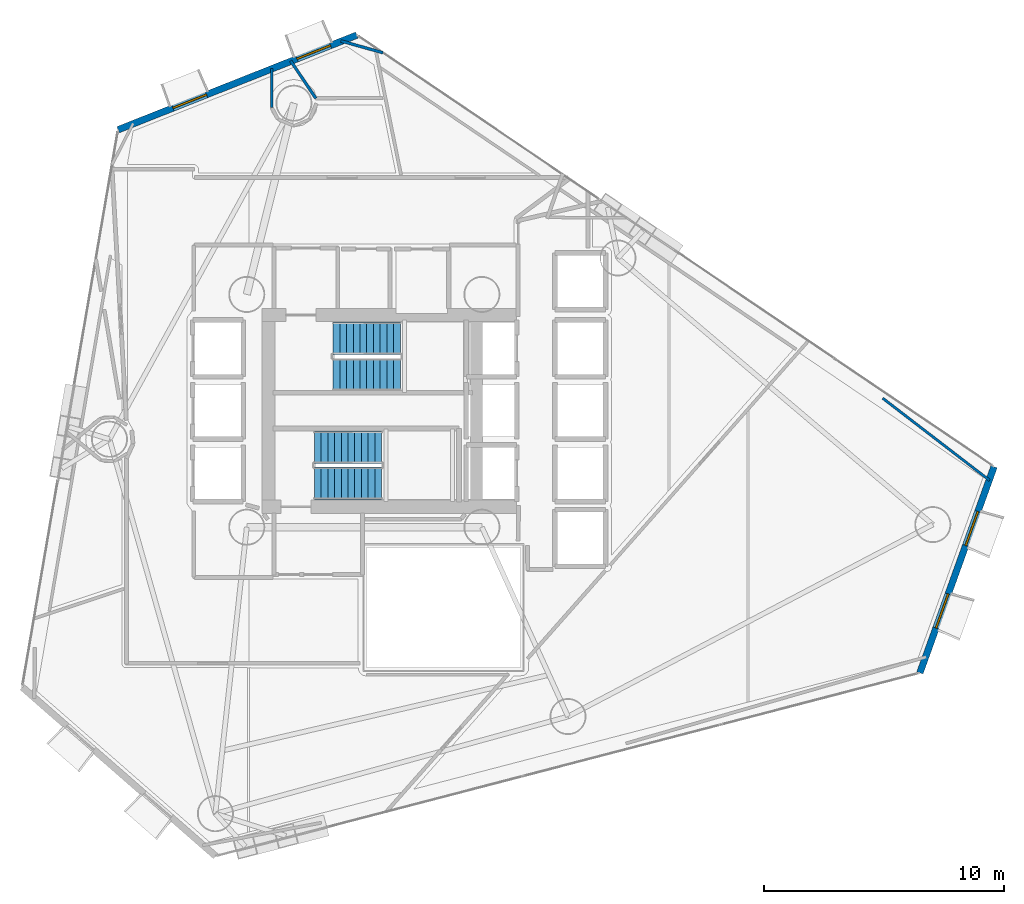
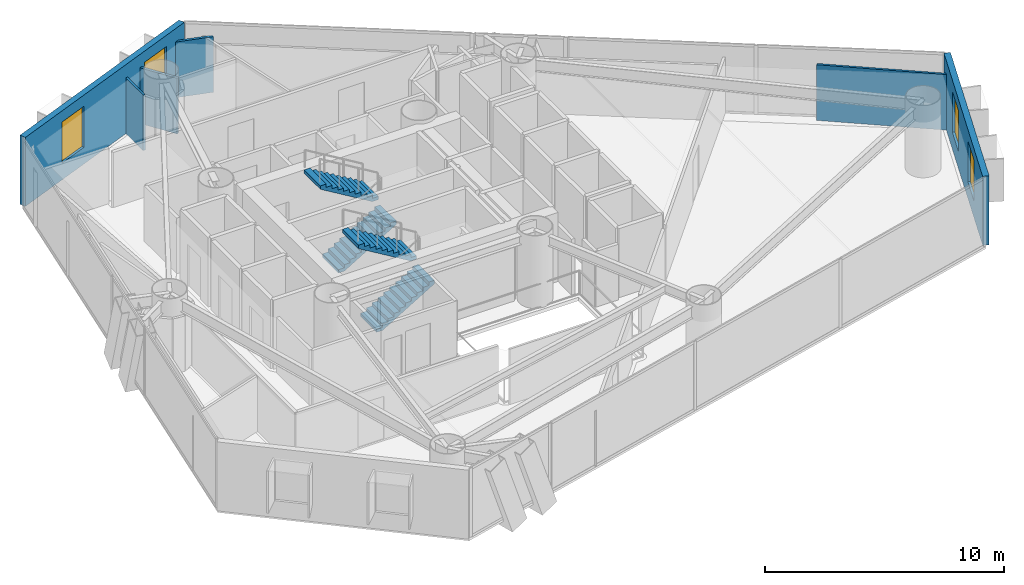
# One storey, part 18 of 21: 6 walls, 4 stair flights, 4 windows, 4 openings, 2 elements without a shape of their own.
"""IFC4 building model written with IfcOpenShell, lengths in metres."""

from ifc_helpers import new_model, si_unit, direction, frame, frame_2d, origin, place, context, subcontext, project, spatial, polyline, rectangle, outline, extrude, material, layer, layer_set, type_object, element, fill, aggregate, save


model = new_model("IFC4")

# Units and contexts
model_context = context("Model", 3, precision=1e-05, world=origin(), true_north=direction((0.0, 1.0)))
body_context = subcontext(model_context, "Body", "Model", "MODEL_VIEW")
ifc_project = project(units=[si_unit("LENGTHUNIT", "METRE"), si_unit("AREAUNIT", "SQUARE_METRE"), si_unit("VOLUMEUNIT", "CUBIC_METRE"), si_unit("PLANEANGLEUNIT", "RADIAN"), si_unit("MASSUNIT", "GRAM", prefix="KILO")], contexts=[model_context])

# Site, building, storey
site_placement = place(None, origin())
site = spatial("IfcSite", under=ifc_project, at=site_placement, CompositionType="ELEMENT")
building_placement = place(site_placement, origin())
building = spatial("IfcBuilding", under=site, at=building_placement, Name="Qianvela Tower", CompositionType="ELEMENT")
storey_placement = place(building_placement, frame((0.0, 0.0, 108.89990234375)))
storey = spatial("IfcBuildingStorey", under=building, at=storey_placement, Name="L27", CompositionType="ELEMENT", Elevation=108.89990234375)

# Wall, openings, windows
ifc_material_1 = material(Name="Terracotta Cladding on Concrete C40", Category="masonry")
ifc_layer_1 = layer(ifc_material_1, 0.280029296875)
ifc_layer_set_1 = layer_set([ifc_layer_1], Name="Terracotta Cladding on Concrete C40")
wall_type_1 = type_object("IfcWallType", Name="TERRACOTTA-WALL-280", PredefinedType="SOLIDWALL", material=ifc_layer_set_1)
wall_1_placement = place(storey_placement, frame((56.656494140625, 17.77783203125, 0.0), z_axis=(0.0, 0.0, 1.0), x_axis=(0.338454364394, 0.940982807081, 0.0)))
wall_1 = element("IfcWall", 1, at=wall_1_placement, inside=storey, type_object=wall_type_1, Name="L27 Terracotta Chamfer Facet Wall 1", PredefinedType="SOLIDWALL", context=body_context, shape_type="SweptSolid", body=[
    extrude(rectangle(XDim=9.13134765625, YDim=0.280029296875, at=frame_2d((4.565673828125, 0.0))), origin(), (0.0, 0.0, 1.0), 3.52001953125),
])
opening_1_placement = place(wall_1_placement, frame((1.989501953125, 0.0, 0.85009765625)))
opening_1 = element("IfcOpeningElement", 2, at=opening_1_placement, cuts=wall_1, Name="Opening W-02", PredefinedType="OPENING", context=body_context, shape_type="SweptSolid", body=[
    extrude(rectangle(XDim=1.5, YDim=2.10009765625, at=frame_2d((0.75, 1.050048828125))), frame((0.0, 0.14990234375, 0.0), z_axis=(0.0, -1.0, 0.0), x_axis=(1.0, 0.0, 0.0)), (0.0, 0.0, 1.0), 0.300048828125),
])
opening_2_placement = place(wall_1_placement, frame((5.64208984375, 0.0, 0.85009765625)))
opening_2 = element("IfcOpeningElement", 3, at=opening_2_placement, cuts=wall_1, Name="Opening W-02", PredefinedType="OPENING", context=body_context, shape_type="SweptSolid", body=[
    extrude(rectangle(XDim=1.5, YDim=2.10009765625, at=frame_2d((0.75, 1.050048828125))), frame((0.0, 0.14990234375, 0.0), z_axis=(0.0, -1.0, 0.0), x_axis=(1.0, 0.0, 0.0)), (0.0, 0.0, 1.0), 0.300048828125),
])
ifc_material_2 = material(Name="Thermally Broken Aluminium and Low-E Glass", Category="aluminium")
window_type = type_object("IfcWindowType", Name="WIN-TC-1500x2100", PartitioningType="DOUBLE_PANEL_VERTICAL", PredefinedType="WINDOW", material=ifc_material_2)
window_1_placement = place(opening_1_placement, origin())
window_1 = element("IfcWindow", 4, at=window_1_placement, inside=storey, type_object=window_type, Name="L27 Chamfer Facet Window 1.1", OverallHeight=2.10009765625, OverallWidth=1.5, PartitioningType="SINGLE_PANEL", PredefinedType="WINDOW", context=body_context, shape_type="SweptSolid", body=[
    extrude(rectangle(XDim=1.5, YDim=2.10009765625, at=frame_2d((0.75, 1.050048828125))), frame((0.0, 0.030029296875, 0.0), z_axis=(0.0, -1.0, 0.0), x_axis=(1.0, 0.0, 0.0)), (0.0, 0.0, 1.0), 0.06005859375),
])
fill(opening_1, window_1)
window_2_placement = place(opening_2_placement, origin())
window_2 = element("IfcWindow", 5, at=window_2_placement, inside=storey, type_object=window_type, Name="L27 Chamfer Facet Window 1.2", OverallHeight=2.10009765625, OverallWidth=1.5, PartitioningType="SINGLE_PANEL", PredefinedType="WINDOW", context=body_context, shape_type="SweptSolid", body=[
    extrude(rectangle(XDim=1.5, YDim=2.10009765625, at=frame_2d((0.75, 1.050048828125))), frame((0.0, 0.030029296875, 0.0), z_axis=(0.0, -1.0, 0.0), x_axis=(1.0, 0.0, 0.0)), (0.0, 0.0, 1.0), 0.06005859375),
])
fill(opening_2, window_2)

wall_2_placement = place(storey_placement, frame((33.188232421875, 44.36083984375, 0.0), z_axis=(0.0, 0.0, 1.0), x_axis=(-0.929607947385, -0.368549947983, 0.0)))
wall_2 = element("IfcWall", 6, at=wall_2_placement, inside=storey, type_object=wall_type_1, Name="L27 Terracotta Chamfer Facet Wall 3", PredefinedType="SOLIDWALL", context=body_context, shape_type="SweptSolid", body=[
    extrude(rectangle(XDim=10.705078125, YDim=0.280029296875, at=frame_2d((5.3525390625, 0.0))), origin(), (0.0, 0.0, 1.0), 3.52001953125),
])
opening_3_placement = place(wall_2_placement, frame((1.181396484375, 0.0, 0.85009765625)))
opening_3 = element("IfcOpeningElement", 7, at=opening_3_placement, cuts=wall_2, Name="Opening W-02", PredefinedType="OPENING", context=body_context, shape_type="SweptSolid", body=[
    extrude(rectangle(XDim=1.5, YDim=2.10009765625, at=frame_2d((0.75, 1.050048828125))), frame((0.0, 0.14990234375, 0.0), z_axis=(0.0, -1.0, 0.0), x_axis=(1.0, 0.0, 0.0)), (0.0, 0.0, 1.0), 0.300048828125),
])
opening_4_placement = place(wall_2_placement, frame((6.743408203125, 0.0, 0.85009765625)))
opening_4 = element("IfcOpeningElement", 8, at=opening_4_placement, cuts=wall_2, Name="Opening W-02", PredefinedType="OPENING", context=body_context, shape_type="SweptSolid", body=[
    extrude(rectangle(XDim=1.5, YDim=2.10009765625, at=frame_2d((0.75, 1.050048828125))), frame((0.0, 0.14990234375, 0.0), z_axis=(0.0, -1.0, 0.0), x_axis=(1.0, 0.0, 0.0)), (0.0, 0.0, 1.0), 0.300048828125),
])
window_3_placement = place(opening_3_placement, origin())
window_3 = element("IfcWindow", 9, at=window_3_placement, inside=storey, type_object=window_type, Name="L27 Chamfer Facet Window 3.1", OverallHeight=2.10009765625, OverallWidth=1.5, PartitioningType="SINGLE_PANEL", PredefinedType="WINDOW", context=body_context, shape_type="SweptSolid", body=[
    extrude(rectangle(XDim=1.5, YDim=2.10009765625, at=frame_2d((0.75, 1.050048828125))), frame((0.0, 0.030029296875, 0.0), z_axis=(0.0, -1.0, 0.0), x_axis=(1.0, 0.0, 0.0)), (0.0, 0.0, 1.0), 0.06005859375),
])
fill(opening_3, window_3)
window_4_placement = place(opening_4_placement, origin())
window_4 = element("IfcWindow", 10, at=window_4_placement, inside=storey, type_object=window_type, Name="L27 Chamfer Facet Window 3.2", OverallHeight=2.10009765625, OverallWidth=1.5, PartitioningType="SINGLE_PANEL", PredefinedType="WINDOW", context=body_context, shape_type="SweptSolid", body=[
    extrude(rectangle(XDim=1.5, YDim=2.10009765625, at=frame_2d((0.75, 1.050048828125))), frame((0.0, 0.030029296875, 0.0), z_axis=(0.0, -1.0, 0.0), x_axis=(1.0, 0.0, 0.0)), (0.0, 0.0, 1.0), 0.06005859375),
])
fill(opening_4, window_4)

# Walls
ifc_material_3 = material(Name="Lightweight Gypsum Room Partition")
ifc_layer_2 = layer(ifc_material_3, 0.10498046875)
ifc_layer_set_2 = layer_set([ifc_layer_2], Name="Lightweight Gypsum Room Partition")
wall_type_2 = type_object("IfcWallType", Name="WT-PART-105", PredefinedType="PARTITIONING", material=ifc_layer_set_2)
wall_3_placement = place(storey_placement, frame((55.10546875, 29.224609375, 0.0), z_axis=(0.0, 0.0, 1.0), x_axis=(0.792940356804, -0.6092992619, 0.0)))
element("IfcWall", 11, at=wall_3_placement, inside=storey, type_object=wall_type_2, Name="L27 Partition 65 seg 1", PredefinedType="PARTITIONING", context=body_context, shape_type="SweptSolid", body=[
    extrude(rectangle(XDim=5.620849609375, YDim=0.10498046875, at=frame_2d((2.810546875, 0.0))), origin(), (0.0, 0.0, 1.0), 2.840087890625),
])
wall_4_placement = place(storey_placement, frame((29.640380859375, 42.974365234375, 0.0), z_axis=(0.0, 0.0, 1.0), x_axis=(0.0, -1.0, 0.0)))
element("IfcWall", 12, at=wall_4_placement, inside=storey, type_object=wall_type_2, Name="L27 Partition 95", PredefinedType="PARTITIONING", context=body_context, shape_type="SweptSolid", body=[
    extrude(rectangle(XDim=1.630859375, YDim=0.10498046875, at=frame_2d((0.8154296875, 0.0))), origin(), (0.0, 0.0, 1.0), 2.840087890625),
])
ifc_material_4 = material(Name="Insulated Gypsum Stud Partition")
ifc_layer_3 = layer(ifc_material_4, 0.1201171875)
ifc_layer_set_3 = layer_set([ifc_layer_3], Name="Insulated Gypsum Stud Partition")
wall_type_3 = type_object("IfcWallType", Name="WT-PART-120", PredefinedType="PARTITIONING", material=ifc_layer_set_3)
wall_5_placement = place(storey_placement, frame((32.523681640625, 44.115234375, 0.0), z_axis=(0.0, 0.0, 1.0), x_axis=(0.962878976212, -0.269933468042, 0.0)))
element("IfcWall", 13, at=wall_5_placement, inside=storey, type_object=wall_type_3, Name="L27 Partition 88", PredefinedType="PARTITIONING", context=body_context, shape_type="SweptSolid", body=[
    extrude(rectangle(XDim=1.81982421875, YDim=0.1201171875, at=frame_2d((0.909912109375, 0.0))), origin(), (0.0, 0.0, 1.0), 2.840087890625),
])
wall_6_placement = place(storey_placement, frame((31.481201171875, 41.71923828125, 0.0), z_axis=(0.0, 0.0, 1.0), x_axis=(-0.556846029643, 0.830615735025, 0.0)))
element("IfcWall", 14, at=wall_6_placement, inside=storey, type_object=wall_type_3, Name="L27 Partition 91", PredefinedType="PARTITIONING", context=body_context, shape_type="SweptSolid", body=[
    extrude(rectangle(XDim=1.888671875, YDim=0.1201171875, at=frame_2d((0.9443359375, 0.0))), origin(), (0.0, 0.0, 1.0), 2.840087890625),
])

# Stair, stair flights
ifc_material_5 = material(Name="Concrete C40", Category="concrete")
stair_type = type_object("IfcStairType", Name="ST-DOGLEG-1350-R168-N22", PredefinedType="HALF_TURN_STAIR", material=ifc_material_5)
stair_1_placement = place(storey_placement, origin())
stair_1 = element("IfcStair", 15, at=stair_1_placement, inside=storey, type_object=stair_type, Name="L27 Smoke-Proof Core Stair ST-1", PredefinedType="HALF_TURN_STAIR")
ifc_material_6 = material(Name="Concrete C40", Category="concrete")
stair_flight_type = type_object("IfcStairFlightType", Name="STF-STRAIGHT-R168-P11", PredefinedType="STRAIGHT", material=ifc_material_6)
stair_flight_1_placement = place(storey_placement, frame((32.199951171875, 30.215087890625, 0.0), z_axis=(0.0, 0.0, 1.0), x_axis=(1.0, 0.0, 0.0)))
stair_flight_1 = element("IfcStairFlight", 16, at=stair_flight_1_placement, type_object=stair_flight_type, Name="ST-1 flight 1", NumberOfRisers=11, NumberOfTreads=10, PredefinedType="STRAIGHT", RiserHeight=0.168181818, TreadLength=0.28, context=body_context, shape_type="SweptSolid", body=[
    extrude(outline(polyline([(0.0, 0.0), (0.0, 0.168212890625), (0.280029296875, 0.168212890625), (0.280029296875, 0.33642578125), (0.56005859375, 0.33642578125), (0.56005859375, 0.504638671875), (0.840087890625, 0.504638671875), (0.840087890625, 0.672607421875), (1.1201171875, 0.672607421875), (1.1201171875, 0.8408203125), (1.39990234375, 0.8408203125), (1.39990234375, 1.009033203125), (1.679931640625, 1.009033203125), (1.679931640625, 1.17724609375), (1.9599609375, 1.17724609375), (1.9599609375, 1.345458984375), (2.239990234375, 1.345458984375), (2.239990234375, 1.513671875), (2.52001953125, 1.513671875), (2.52001953125, 1.681884765625), (2.800048828125, 1.681884765625), (2.800048828125, 1.85009765625), (2.800048828125, 1.5068359375), (0.291015625, 0.0), (0.0, 0.0)])), frame((0.0, 0.675048828125, 0.0), z_axis=(0.0, -1.0, 0.0), x_axis=(1.0, 0.0, 0.0)), (0.0, 0.0, 1.0), 1.35009765625),
])
stair_flight_2_placement = place(storey_placement, frame((35.0, 31.72509765625, 1.85009765625), z_axis=(0.0, 0.0, 1.0), x_axis=(-1.0, 0.0, 0.0)))
stair_flight_2 = element("IfcStairFlight", 17, at=stair_flight_2_placement, type_object=stair_flight_type, Name="ST-1 flight 2", NumberOfRisers=11, NumberOfTreads=10, PredefinedType="STRAIGHT", RiserHeight=0.168181818, TreadLength=0.28, context=body_context, shape_type="SweptSolid", body=[
    extrude(outline(polyline([(0.0, 0.0), (0.0, 0.168212890625), (0.280029296875, 0.168212890625), (0.280029296875, 0.33642578125), (0.56005859375, 0.33642578125), (0.56005859375, 0.504638671875), (0.840087890625, 0.504638671875), (0.840087890625, 0.672607421875), (1.1201171875, 0.672607421875), (1.1201171875, 0.8408203125), (1.39990234375, 0.8408203125), (1.39990234375, 1.009033203125), (1.679931640625, 1.009033203125), (1.679931640625, 1.17724609375), (1.9599609375, 1.17724609375), (1.9599609375, 1.345458984375), (2.239990234375, 1.345458984375), (2.239990234375, 1.513671875), (2.52001953125, 1.513671875), (2.52001953125, 1.681884765625), (2.800048828125, 1.681884765625), (2.800048828125, 1.85009765625), (2.800048828125, 1.5068359375), (0.291015625, 0.0), (0.0, 0.0)])), frame((0.0, 0.675048828125, 0.0), z_axis=(0.0, -1.0, 0.0), x_axis=(1.0, 0.0, 0.0)), (0.0, 0.0, 1.0), 1.35009765625),
])
aggregate(stair_1, [stair_flight_1, stair_flight_2])

stair_2_placement = place(storey_placement, origin())
stair_2 = element("IfcStair", 18, at=stair_2_placement, inside=storey, type_object=stair_type, Name="L27 Smoke-Proof Core Stair ST-2", PredefinedType="HALF_TURN_STAIR")
stair_flight_3_placement = place(storey_placement, frame((31.419921875, 25.675048828125, 0.0), z_axis=(0.0, 0.0, 1.0), x_axis=(1.0, 0.0, 0.0)))
stair_flight_3 = element("IfcStairFlight", 19, at=stair_flight_3_placement, type_object=stair_flight_type, Name="ST-2 flight 1", NumberOfRisers=11, NumberOfTreads=10, PredefinedType="STRAIGHT", RiserHeight=0.168181818, TreadLength=0.28, context=body_context, shape_type="SweptSolid", body=[
    extrude(outline(polyline([(0.0, 0.0), (0.0, 0.168212890625), (0.280029296875, 0.168212890625), (0.280029296875, 0.33642578125), (0.56005859375, 0.33642578125), (0.56005859375, 0.504638671875), (0.840087890625, 0.504638671875), (0.840087890625, 0.672607421875), (1.1201171875, 0.672607421875), (1.1201171875, 0.8408203125), (1.39990234375, 0.8408203125), (1.39990234375, 1.009033203125), (1.679931640625, 1.009033203125), (1.679931640625, 1.17724609375), (1.9599609375, 1.17724609375), (1.9599609375, 1.345458984375), (2.239990234375, 1.345458984375), (2.239990234375, 1.513671875), (2.52001953125, 1.513671875), (2.52001953125, 1.681884765625), (2.800048828125, 1.681884765625), (2.800048828125, 1.85009765625), (2.800048828125, 1.5068359375), (0.291015625, 0.0), (0.0, 0.0)])), frame((0.0, 0.675048828125, 0.0), z_axis=(0.0, -1.0, 0.0), x_axis=(1.0, 0.0, 0.0)), (0.0, 0.0, 1.0), 1.35009765625),
])
stair_flight_4_placement = place(storey_placement, frame((34.219970703125, 27.18505859375, 1.85009765625), z_axis=(0.0, 0.0, 1.0), x_axis=(-1.0, 0.0, 0.0)))
stair_flight_4 = element("IfcStairFlight", 20, at=stair_flight_4_placement, type_object=stair_flight_type, Name="ST-2 flight 2", NumberOfRisers=11, NumberOfTreads=10, PredefinedType="STRAIGHT", RiserHeight=0.168181818, TreadLength=0.28, context=body_context, shape_type="SweptSolid", body=[
    extrude(outline(polyline([(0.0, 0.0), (0.0, 0.168212890625), (0.280029296875, 0.168212890625), (0.280029296875, 0.33642578125), (0.56005859375, 0.33642578125), (0.56005859375, 0.504638671875), (0.840087890625, 0.504638671875), (0.840087890625, 0.672607421875), (1.1201171875, 0.672607421875), (1.1201171875, 0.8408203125), (1.39990234375, 0.8408203125), (1.39990234375, 1.009033203125), (1.679931640625, 1.009033203125), (1.679931640625, 1.17724609375), (1.9599609375, 1.17724609375), (1.9599609375, 1.345458984375), (2.239990234375, 1.345458984375), (2.239990234375, 1.513671875), (2.52001953125, 1.513671875), (2.52001953125, 1.681884765625), (2.800048828125, 1.681884765625), (2.800048828125, 1.85009765625), (2.800048828125, 1.5068359375), (0.291015625, 0.0), (0.0, 0.0)])), frame((0.0, 0.675048828125, 0.0), z_axis=(0.0, -1.0, 0.0), x_axis=(1.0, 0.0, 0.0)), (0.0, 0.0, 1.0), 1.35009765625),
])
aggregate(stair_2, [stair_flight_3, stair_flight_4])

save(model, "model.ifc")
